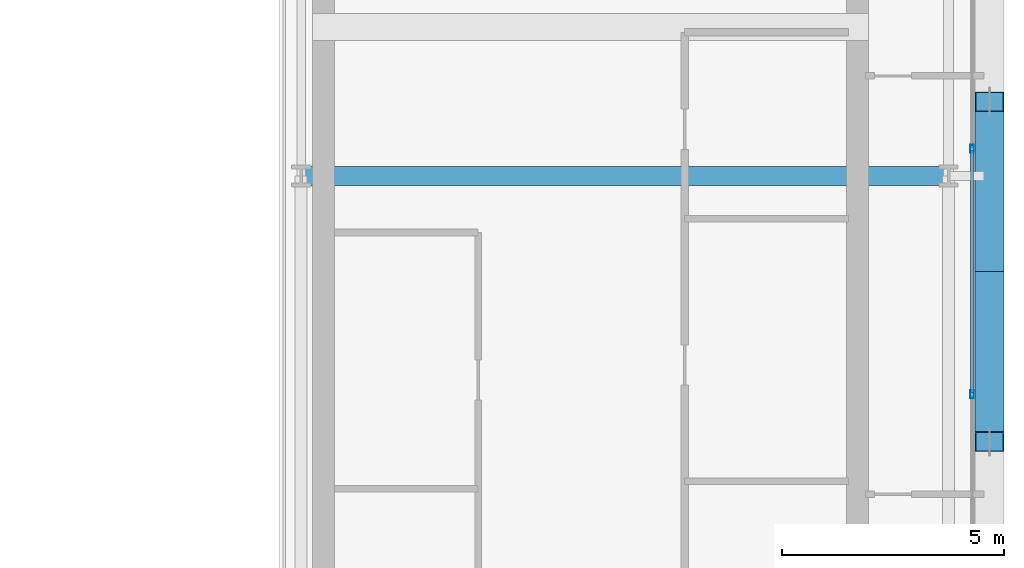
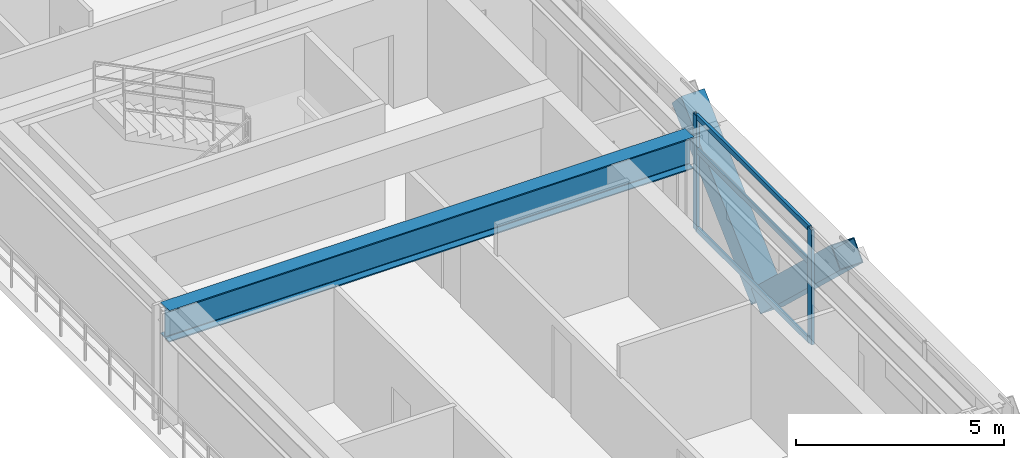
# One storey, part 13 of 32: 7 members, 1 beam, 1 element without a shape of its own.
"""IFC4 building model written with IfcOpenShell, lengths in metres."""

from ifc_helpers import new_model, si_unit, direction, frame, origin, origin_2d, place, context, subcontext, project, spatial, hollow_rectangle, i_section, extrude, source, transform, mapped, material, layer, layer_set, material_profile, profile_set, type_object, element, aggregate, save


model = new_model("IFC4")

# Units and contexts
model_context = context("Model", 3, precision=1e-05, world=origin(), true_north=direction((0.0, 1.0)))
body_context = subcontext(model_context, "Body", "Model", "MODEL_VIEW")
ifc_project = project(units=[si_unit("LENGTHUNIT", "METRE"), si_unit("AREAUNIT", "SQUARE_METRE"), si_unit("VOLUMEUNIT", "CUBIC_METRE"), si_unit("PLANEANGLEUNIT", "RADIAN"), si_unit("MASSUNIT", "GRAM", prefix="KILO")], contexts=[model_context])

# Site, building, storey
site_placement = place(None, origin())
site = spatial("IfcSite", under=ifc_project, at=site_placement, CompositionType="ELEMENT")
building_placement = place(site_placement, origin())
building = spatial("IfcBuilding", under=site, at=building_placement, Name="Ocotamira Hotel", CompositionType="ELEMENT")
storey_placement = place(building_placement, frame((0.0, 0.0, 213.60009765625)))
storey = spatial("IfcBuildingStorey", under=building, at=storey_placement, Name="L54", CompositionType="ELEMENT", Elevation=213.60009765625)

# Beam
ifc_material_1 = material(Name="Steel ASTM A992 Grade 50", Category="steel")
ifc_material_profile_1 = material_profile(ifc_material_1, i_section(OverallWidth=0.41796875, OverallDepth=0.927001953125, WebThickness=0.019287109375, FlangeThickness=0.031982421875, FilletRadius=0.02392578125, at=origin_2d()), Name="W36X231")
ifc_profile_set_1 = profile_set([ifc_material_profile_1], Name="Steel ASTM A992 Grade 50")
beam_type = type_object("IfcBeamType", Name="BM-GIRD-W36X231", PredefinedType="BEAM", material=ifc_profile_set_1)
shared_shape_1 = source(origin(), body_context, "Body", "SweptSolid", [
    extrude(i_section(OverallWidth=0.41796875, OverallDepth=0.927001953125, WebThickness=0.019287109375, FlangeThickness=0.031982421875, FilletRadius=0.02392578125, at=origin_2d()), origin(), (0.0, 0.0, 1.0), 14.550048828125),
])
beam_placement = place(storey_placement, frame((40.5, 28.14990234375, 2.906494140625), z_axis=(1.0, 0.0, 0.0), x_axis=(0.0, 1.0, 0.0)))
element("IfcBeam", 1, at=beam_placement, inside=storey, type_object=beam_type, Name="L54 Girder Y28.15 X40.5-55.05", PredefinedType="BEAM", context=body_context, shape_type="MappedRepresentation", body=[
    mapped(shared_shape_1, transform((0.0, 0.0, 0.0), scale=1.0)),
])

# Members
ifc_material_2 = material(Name="Pale-metal coated steel ASTM A913 Grade 65", Category="steel")
ifc_material_profile_2 = material_profile(ifc_material_2, hollow_rectangle(XDim=0.64990234375, YDim=0.64990234375, WallThickness=0.02197265625, at=origin_2d()), Name="BOX650X650X22")
ifc_profile_set_2 = profile_set([ifc_material_profile_2], Name="Pale-metal coated steel ASTM A913 Grade 65")
member_type_1 = type_object("IfcMemberType", Name="MEM-EXO-BOX650", PredefinedType="BRACE", material=ifc_profile_set_2)
shared_shape_2 = source(origin(), body_context, "Body", "SweptSolid", [
    extrude(hollow_rectangle(XDim=0.64990234375, YDim=0.64990234375, WallThickness=0.02197265625, at=origin_2d()), origin(), (0.0, 0.0, 1.0), 5.24658203125),
])
for number, where, z_axis, x_axis, name in (
    (2, (55.969970703125, 26.0, -0.47998046875), (0.0, -0.72746596067, 0.686143772154), (1.0, 0.0, 0.0), "L54 Exoskeleton Diagrid E1.1"),
    (3, (55.969970703125, 26.0, -0.47998046875), (0.0, 0.72746596067, 0.686143772154), (-1.0, 0.0, 0.0), "L54 Exoskeleton Diagrid E1.2"),
):
    element("IfcMember", number, at=place(storey_placement, frame(where, z_axis=z_axis, x_axis=x_axis)), inside=storey, type_object=member_type_1, Name=name, PredefinedType="BRACE", context=body_context, shape_type="MappedRepresentation", body=[
        mapped(shared_shape_2, transform((0.0, 0.0, 0.0), scale=1.0)),
    ])

# Curtain wall, members
ifc_material_3 = material(Name="Anodised pale-metal aluminium and solar glass", Category="aluminium")
ifc_layer = layer(ifc_material_3, 0.199951171875)
ifc_layer_set = layer_set([ifc_layer], Name="Anodised pale-metal aluminium and solar glass")
curtain_wall_type = type_object("IfcCurtainWallType", Name="CW-SYS4-Z3", PredefinedType="NOTDEFINED", material=ifc_layer_set)
curtain_wall_placement = place(storey_placement, origin())
curtain_wall = element("IfcCurtainWall", 4, at=curtain_wall_placement, inside=storey, type_object=curtain_wall_type, Name="L54 Curtain Wall CW-4 CW-L54-E", PredefinedType="NOTDEFINED")
ifc_material_4 = material(Name="Anodised pale-metal aluminium 6063-T6", Category="aluminium")
ifc_material_profile_3 = material_profile(ifc_material_4, hollow_rectangle(XDim=0.074951171875, YDim=0.14990234375, WallThickness=0.006103515625, at=origin_2d()), Name="HSS150X75X6")
ifc_profile_set_3 = profile_set([ifc_material_profile_3], Name="Anodised pale-metal aluminium 6063-T6")
member_type_2 = type_object("IfcMemberType", Name="CWT-150X75", PredefinedType="USERDEFINED", material=ifc_profile_set_3)
shared_shape_3 = source(origin(), body_context, "Body", "SweptSolid", [
    extrude(hollow_rectangle(XDim=0.074951171875, YDim=0.14990234375, WallThickness=0.006103515625, at=origin_2d()), origin(), (0.0, 0.0, 1.0), 5.43994140625),
])
member_1_placement = place(storey_placement, frame((55.580078125, 23.280029296875, 0.037353515625), z_axis=(0.0, 1.0, 0.0), x_axis=(-1.0, 0.0, 0.0)))
member_1 = element("IfcMember", 5, at=member_1_placement, type_object=member_type_2, Name="CW-4 transom 3.1", ObjectType="TRANSOM", PredefinedType="USERDEFINED", context=body_context, shape_type="MappedRepresentation", body=[
    mapped(shared_shape_3, transform((0.0, 0.0, 0.0), scale=1.0)),
])
member_2_placement = place(storey_placement, frame((55.580078125, 23.280029296875, 2.349853515625), z_axis=(0.0, 1.0, 0.0), x_axis=(-1.0, 0.0, 0.0)))
member_2 = element("IfcMember", 6, at=member_2_placement, type_object=member_type_2, Name="CW-4 transom 3.2", ObjectType="TRANSOM", PredefinedType="USERDEFINED", context=body_context, shape_type="MappedRepresentation", body=[
    mapped(shared_shape_3, transform((0.0, 0.0, 0.0), scale=1.0)),
])
member_3_placement = place(storey_placement, frame((55.580078125, 23.280029296875, 3.33251953125), z_axis=(0.0, 1.0, 0.0), x_axis=(-1.0, 0.0, 0.0)))
member_3 = element("IfcMember", 7, at=member_3_placement, type_object=member_type_2, Name="CW-4 transom 3.3", ObjectType="TRANSOM", PredefinedType="USERDEFINED", context=body_context, shape_type="MappedRepresentation", body=[
    mapped(shared_shape_3, transform((0.0, 0.0, 0.0), scale=1.0)),
])
ifc_material_profile_4 = material_profile(ifc_material_4, hollow_rectangle(XDim=0.080078125, YDim=0.179931640625, WallThickness=0.006103515625, at=origin_2d()), Name="HSS180X80X6")
ifc_profile_set_4 = profile_set([ifc_material_profile_4], Name="Anodised pale-metal aluminium 6063-T6")
member_type_3 = type_object("IfcMemberType", Name="CWM-180X75", PredefinedType="MULLION", material=ifc_profile_set_4)
shared_shape_4 = source(origin(), body_context, "Body", "SweptSolid", [
    extrude(hollow_rectangle(XDim=0.080078125, YDim=0.179931640625, WallThickness=0.006103515625, at=origin_2d()), origin(), (0.0, 0.0, 1.0), 3.369873046875),
])
member_4_placement = place(storey_placement, frame((55.580078125, 23.239990234375, 0.0), z_axis=(0.0, 0.0, 1.0), x_axis=(-1.0, 0.0, 0.0)))
member_4 = element("IfcMember", 8, at=member_4_placement, type_object=member_type_3, Name="CW-4 mullion 3", PredefinedType="MULLION", context=body_context, shape_type="MappedRepresentation", body=[
    mapped(shared_shape_4, transform((0.0, 0.0, 0.0), scale=1.0)),
])
member_5_placement = place(storey_placement, frame((55.580078125, 28.760009765625, 0.0), z_axis=(0.0, 0.0, 1.0), x_axis=(-1.0, 0.0, 0.0)))
member_5 = element("IfcMember", 9, at=member_5_placement, type_object=member_type_3, Name="CW-4 mullion 4", PredefinedType="MULLION", context=body_context, shape_type="MappedRepresentation", body=[
    mapped(shared_shape_4, transform((0.0, 0.0, 0.0), scale=1.0)),
])
aggregate(curtain_wall, [member_4, member_5, member_1, member_2, member_3])

save(model, "model.ifc")
